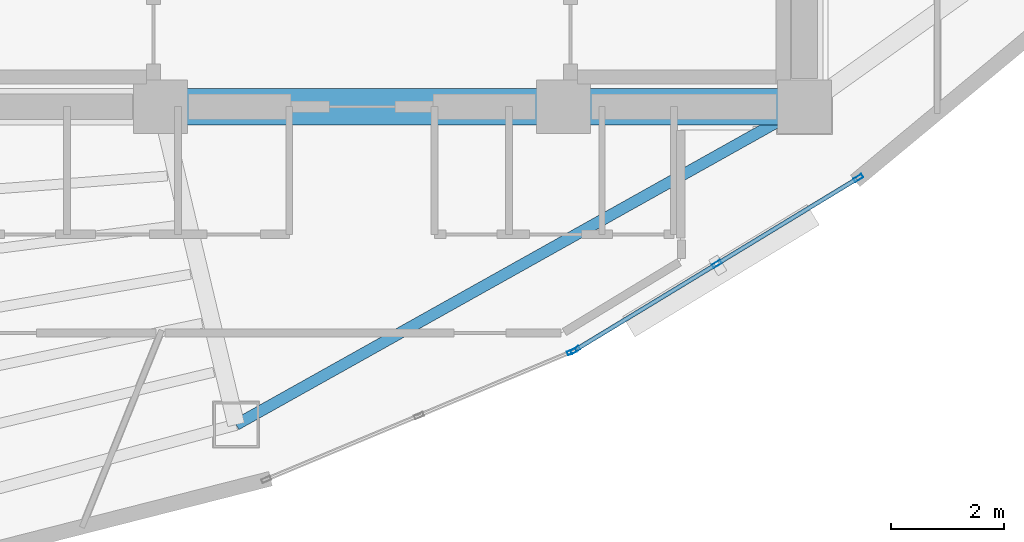
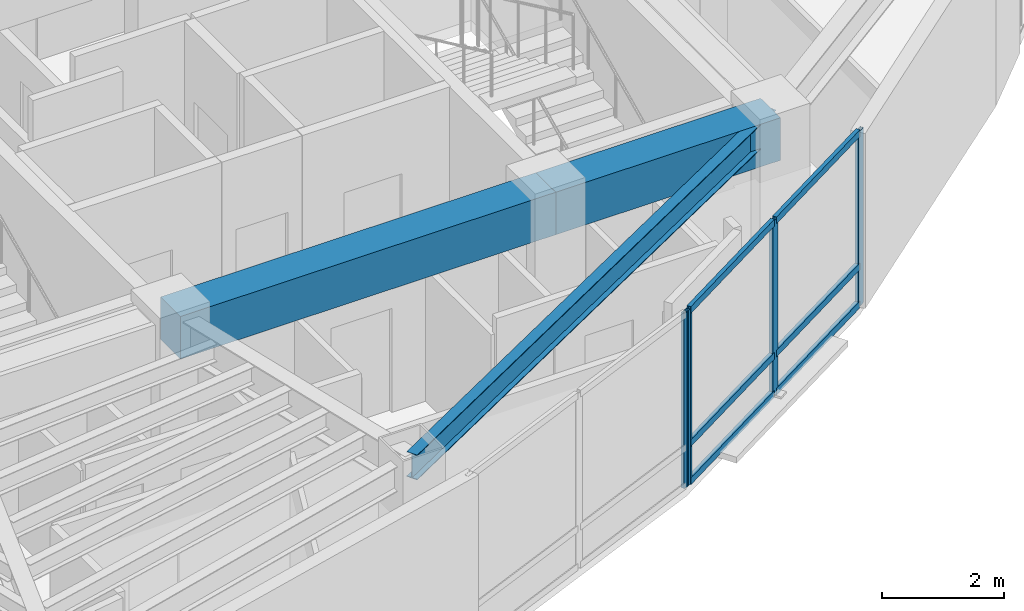
# One storey, part 5 of 15: 10 members, 3 beams, 2 elements without a shape of their own.
"""IFC4 building model written with IfcOpenShell, lengths in metres."""

from ifc_helpers import new_model, si_unit, direction, frame, origin, origin_2d, place, context, subcontext, project, spatial, rectangle, hollow_rectangle, i_section, extrude, material, layer, layer_set, material_profile, profile_set, type_object, element, aggregate, save


model = new_model("IFC4")

# Units and contexts
model_context = context("Model", 3, precision=1e-05, world=origin(), true_north=direction((0.0, 1.0)))
body_context = subcontext(model_context, "Body", "Model", "MODEL_VIEW")
ifc_project = project(units=[si_unit("LENGTHUNIT", "METRE"), si_unit("AREAUNIT", "SQUARE_METRE"), si_unit("VOLUMEUNIT", "CUBIC_METRE"), si_unit("PLANEANGLEUNIT", "RADIAN"), si_unit("MASSUNIT", "GRAM", prefix="KILO")], contexts=[model_context])

# Site, building, storey
site_placement = place(None, origin())
site = spatial("IfcSite", under=ifc_project, at=site_placement, CompositionType="ELEMENT")
building_placement = place(site_placement, origin())
building = spatial("IfcBuilding", under=site, at=building_placement, Name="Menara Vayukalpa", CompositionType="ELEMENT")
storey_placement = place(building_placement, frame((0.0, 0.0, 269.4599609375)))
storey = spatial("IfcBuildingStorey", under=building, at=storey_placement, Name="L68", CompositionType="ELEMENT", Elevation=269.4599609375)

# Beams
ifc_material_1 = material(Name="Concrete C60/75", Category="concrete")
ifc_material_profile_1 = material_profile(ifc_material_1, rectangle(XDim=0.64990234375, YDim=0.85009765625, at=origin_2d()), Name="RC 650x850")
ifc_profile_set_1 = profile_set([ifc_material_profile_1], Name="Concrete C60/75")
beam_type_1 = type_object("IfcBeamType", Name="BM-CB1", PredefinedType="BEAM", material=ifc_profile_set_1)
beam_1_placement = place(storey_placement, frame((22.050048828125, 17.199951171875, 3.074951171875), z_axis=(1.0, 0.0, 0.0), x_axis=(0.0, 1.0, 0.0)))
element("IfcBeam", 1, at=beam_1_placement, inside=storey, type_object=beam_type_1, Name="L68 Core Tie Beam CBR2", PredefinedType="BEAM", context=body_context, shape_type="SweptSolid", body=[
    extrude(rectangle(XDim=0.64990234375, YDim=0.85009765625, at=origin_2d()), origin(), (0.0, 0.0, 1.0), 7.099853515625),
])
beam_2_placement = place(storey_placement, frame((29.14990234375, 17.199951171875, 3.074951171875), z_axis=(1.0, 0.0, 0.0), x_axis=(0.0, 1.0, 0.0)))
element("IfcBeam", 2, at=beam_2_placement, inside=storey, type_object=beam_type_1, Name="L68 Core Tie Beam CBR3", PredefinedType="BEAM", context=body_context, shape_type="SweptSolid", body=[
    extrude(rectangle(XDim=0.64990234375, YDim=0.85009765625, at=origin_2d()), origin(), (0.0, 0.0, 1.0), 4.25),
])
ifc_material_2 = material(Name="Steel S355", Category="steel")
ifc_material_profile_2 = material_profile(ifc_material_2, i_section(OverallWidth=0.199951171875, OverallDepth=0.5, WebThickness=0.010009765625, FlangeThickness=0.01611328125, at=origin_2d()), Name="WF 500x200x10x16")
ifc_profile_set_2 = profile_set([ifc_material_profile_2], Name="Steel S355")
beam_type_2 = type_object("IfcBeamType", Name="BM-SP3", PredefinedType="SPANDREL", material=ifc_profile_set_2)
beam_3_placement = place(storey_placement, frame((23.3818359375, 11.59521484375, 3.25), z_axis=(0.87270577288, 0.48824648896, 0.0), x_axis=(-0.48824648896, 0.87270577288, 0.0)))
element("IfcBeam", 3, at=beam_3_placement, inside=storey, type_object=beam_type_2, Name="L68 Perimeter Spandrel Beam SP08", PredefinedType="SPANDREL", context=body_context, shape_type="SweptSolid", body=[
    extrude(i_section(OverallWidth=0.199951171875, OverallDepth=0.5, WebThickness=0.010009765625, FlangeThickness=0.01611328125, at=origin_2d()), origin(), (0.0, 0.0, 1.0), 11.479248046875),
])

# Curtain wall, member
ifc_material_3 = material(Name="Anodised Terracotta Aluminium Alloy 6063-T6", Category="masonry")
ifc_layer = layer(ifc_material_3, 0.1650390625)
ifc_layer_set = layer_set([ifc_layer], Name="Anodised Terracotta Aluminium Alloy 6063-T6")
curtain_wall_type = type_object("IfcCurtainWallType", Name="CW-CW6", PredefinedType="USERDEFINED", material=ifc_layer_set)
curtain_wall_1_placement = place(storey_placement, origin())
curtain_wall_1 = element("IfcCurtainWall", 4, at=curtain_wall_1_placement, inside=storey, type_object=curtain_wall_type, Name="L68 Observation and Executive Curtain Wall CW6 16", ObjectType="UNITISED", PredefinedType="USERDEFINED")
ifc_material_4 = material(Name="Anodised Terracotta Aluminium Alloy 6063-T6", Category="masonry")
ifc_material_profile_3 = material_profile(ifc_material_4, hollow_rectangle(XDim=0.070068359375, YDim=0.1650390625, WallThickness=0.00390625, at=origin_2d()), Name="ALU 70x165x4")
ifc_profile_set_3 = profile_set([ifc_material_profile_3], Name="Anodised Terracotta Aluminium Alloy 6063-T6")
member_type_1 = type_object("IfcMemberType", Name="CWM-CW6", PredefinedType="MULLION", material=ifc_profile_set_3)
member_1_placement = place(storey_placement, frame((29.298828125, 12.881103515625, 0.0), z_axis=(0.0, 0.0, 1.0), x_axis=(-0.385899911703, 0.922540653927, 0.0)))
member_1 = element("IfcMember", 5, at=member_1_placement, type_object=member_type_1, Name="CW6 mullion 3", PredefinedType="MULLION", context=body_context, shape_type="SweptSolid", body=[
    extrude(hollow_rectangle(XDim=0.070068359375, YDim=0.1650390625, WallThickness=0.00390625, at=origin_2d()), origin(), (0.0, 0.0, 1.0), 3.5),
])
aggregate(curtain_wall_1, [member_1])

# Curtain wall, members
curtain_wall_2_placement = place(storey_placement, origin())
curtain_wall_2 = element("IfcCurtainWall", 6, at=curtain_wall_2_placement, inside=storey, type_object=curtain_wall_type, Name="L68 Observation and Executive Curtain Wall CW6 17", ObjectType="UNITISED", PredefinedType="USERDEFINED")
member_2_placement = place(storey_placement, frame((29.36083984375, 12.912841796875, 0.0), z_axis=(0.0, 0.0, 1.0), x_axis=(-0.519175574558, 0.854667609532, 0.0)))
member_2 = element("IfcMember", 7, at=member_2_placement, type_object=member_type_1, Name="CW6 mullion 1", PredefinedType="MULLION", context=body_context, shape_type="SweptSolid", body=[
    extrude(hollow_rectangle(XDim=0.070068359375, YDim=0.1650390625, WallThickness=0.00390625, at=origin_2d()), origin(), (0.0, 0.0, 1.0), 3.5),
])
member_3_placement = place(storey_placement, frame((31.85546875, 14.42822265625, 0.0), z_axis=(0.0, 0.0, 1.0), x_axis=(-0.519175574558, 0.854667609532, 0.0)))
member_3 = element("IfcMember", 8, at=member_3_placement, type_object=member_type_1, Name="CW6 mullion 2", PredefinedType="MULLION", context=body_context, shape_type="SweptSolid", body=[
    extrude(hollow_rectangle(XDim=0.070068359375, YDim=0.1650390625, WallThickness=0.00390625, at=origin_2d()), origin(), (0.0, 0.0, 1.0), 3.5),
])
member_4_placement = place(storey_placement, frame((34.35009765625, 15.943603515625, 0.0), z_axis=(0.0, 0.0, 1.0), x_axis=(-0.519175574558, 0.854667609532, 0.0)))
member_4 = element("IfcMember", 9, at=member_4_placement, type_object=member_type_1, Name="CW6 mullion 3", PredefinedType="MULLION", context=body_context, shape_type="SweptSolid", body=[
    extrude(hollow_rectangle(XDim=0.070068359375, YDim=0.1650390625, WallThickness=0.00390625, at=origin_2d()), origin(), (0.0, 0.0, 1.0), 3.5),
])
ifc_material_5 = material(Name="Anodised Terracotta Aluminium Alloy 6063-T6", Category="masonry")
ifc_material_profile_4 = material_profile(ifc_material_5, hollow_rectangle(XDim=0.074951171875, YDim=0.135009765625, WallThickness=0.00390625, at=origin_2d()), Name="ALU 75x135x4")
ifc_profile_set_4 = profile_set([ifc_material_profile_4], Name="Anodised Terracotta Aluminium Alloy 6063-T6")
member_type_2 = type_object("IfcMemberType", Name="CWT-CW6", PredefinedType="USERDEFINED", material=ifc_profile_set_4)
member_5_placement = place(storey_placement, frame((29.390869140625, 12.93115234375, 0.03759765625), z_axis=(0.854689729536, 0.519139158825, 0.0), x_axis=(-0.519139158825, 0.854689729536, 0.0)))
member_5 = element("IfcMember", 10, at=member_5_placement, type_object=member_type_2, Name="CW6 transom 1.1", ObjectType="TRANSOM", PredefinedType="USERDEFINED", context=body_context, shape_type="SweptSolid", body=[
    extrude(hollow_rectangle(XDim=0.074951171875, YDim=0.135009765625, WallThickness=0.00390625, at=origin_2d()), origin(), (0.0, 0.0, 1.0), 2.848388671875),
])
member_6_placement = place(storey_placement, frame((29.390869140625, 12.93115234375, 0.800048828125), z_axis=(0.854689729536, 0.519139158825, 0.0), x_axis=(-0.519139158825, 0.854689729536, 0.0)))
member_6 = element("IfcMember", 11, at=member_6_placement, type_object=member_type_2, Name="CW6 transom 1.2", ObjectType="TRANSOM", PredefinedType="USERDEFINED", context=body_context, shape_type="SweptSolid", body=[
    extrude(hollow_rectangle(XDim=0.074951171875, YDim=0.135009765625, WallThickness=0.00390625, at=origin_2d()), origin(), (0.0, 0.0, 1.0), 2.848388671875),
])
member_7_placement = place(storey_placement, frame((29.390869140625, 12.93115234375, 3.462646484375), z_axis=(0.854689729536, 0.519139158825, 0.0), x_axis=(-0.519139158825, 0.854689729536, 0.0)))
member_7 = element("IfcMember", 12, at=member_7_placement, type_object=member_type_2, Name="CW6 transom 1.3", ObjectType="TRANSOM", PredefinedType="USERDEFINED", context=body_context, shape_type="SweptSolid", body=[
    extrude(hollow_rectangle(XDim=0.074951171875, YDim=0.135009765625, WallThickness=0.00390625, at=origin_2d()), origin(), (0.0, 0.0, 1.0), 2.848388671875),
])
member_8_placement = place(storey_placement, frame((31.88525390625, 14.4462890625, 0.03759765625), z_axis=(0.854674800659, 0.519163736328, 0.0), x_axis=(-0.519163736328, 0.85467480066, 0.0)))
member_8 = element("IfcMember", 13, at=member_8_placement, type_object=member_type_2, Name="CW6 transom 2.1", ObjectType="TRANSOM", PredefinedType="USERDEFINED", context=body_context, shape_type="SweptSolid", body=[
    extrude(hollow_rectangle(XDim=0.074951171875, YDim=0.135009765625, WallThickness=0.00390625, at=origin_2d()), origin(), (0.0, 0.0, 1.0), 2.848876953125),
])
member_9_placement = place(storey_placement, frame((31.88525390625, 14.4462890625, 0.800048828125), z_axis=(0.854674800659, 0.519163736328, 0.0), x_axis=(-0.519163736328, 0.85467480066, 0.0)))
member_9 = element("IfcMember", 14, at=member_9_placement, type_object=member_type_2, Name="CW6 transom 2.2", ObjectType="TRANSOM", PredefinedType="USERDEFINED", context=body_context, shape_type="SweptSolid", body=[
    extrude(hollow_rectangle(XDim=0.074951171875, YDim=0.135009765625, WallThickness=0.00390625, at=origin_2d()), origin(), (0.0, 0.0, 1.0), 2.848876953125),
])
member_10_placement = place(storey_placement, frame((31.88525390625, 14.4462890625, 3.462646484375), z_axis=(0.854674800659, 0.519163736328, 0.0), x_axis=(-0.519163736328, 0.85467480066, 0.0)))
member_10 = element("IfcMember", 15, at=member_10_placement, type_object=member_type_2, Name="CW6 transom 2.3", ObjectType="TRANSOM", PredefinedType="USERDEFINED", context=body_context, shape_type="SweptSolid", body=[
    extrude(hollow_rectangle(XDim=0.074951171875, YDim=0.135009765625, WallThickness=0.00390625, at=origin_2d()), origin(), (0.0, 0.0, 1.0), 2.848876953125),
])
aggregate(curtain_wall_2, [member_2, member_3, member_4, member_5, member_6, member_7, member_8, member_9, member_10])

save(model, "model.ifc")
